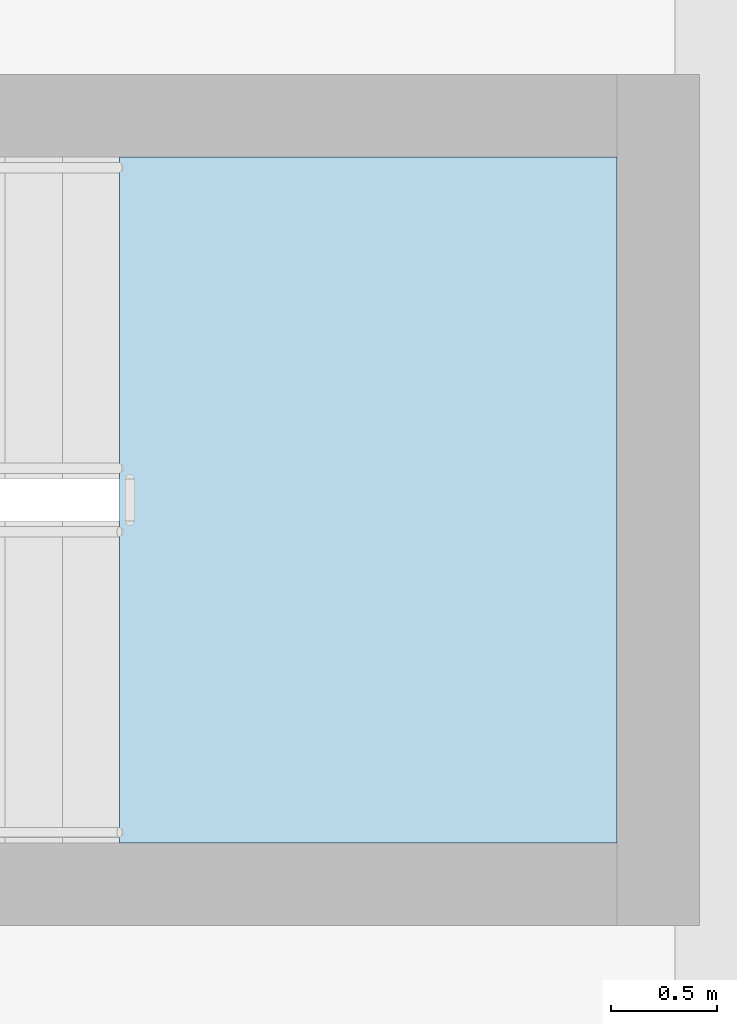
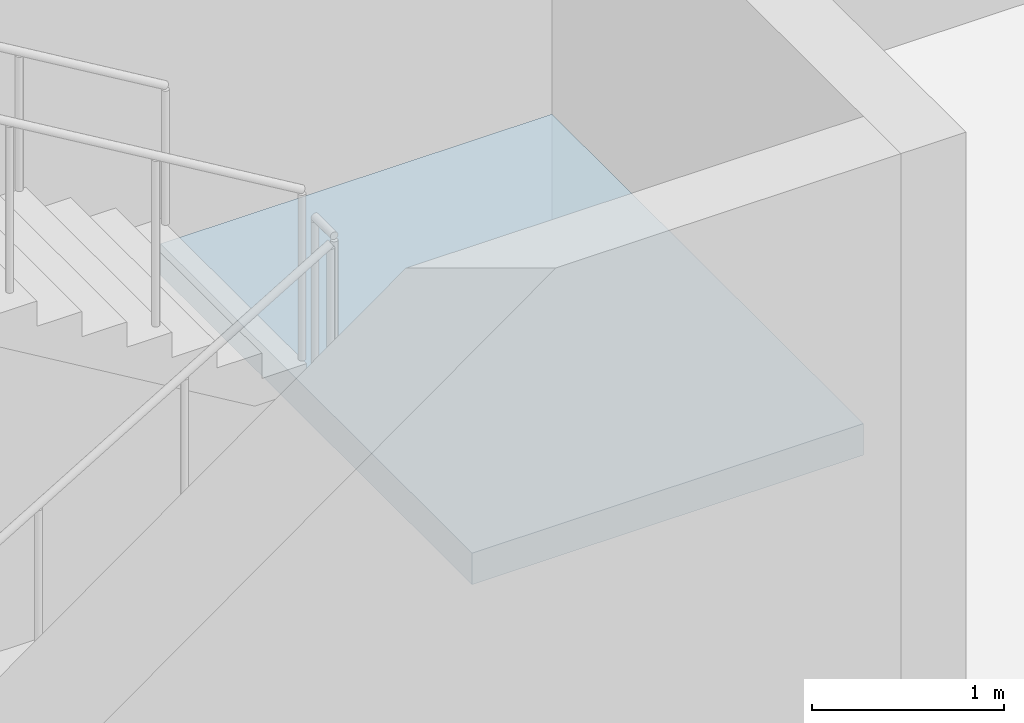
# One storey, part 96 of 137: 1 slab, 1 element without a shape of its own.
"""IFC4 building model written with IfcOpenShell, lengths in metres."""

from ifc_helpers import new_model, si_unit, direction, frame, origin, place, context, subcontext, project, spatial, polyline, outline, extrude, material, layer, layer_set, type_object, element, aggregate, save


model = new_model("IFC4")

# Units and contexts
model_context = context("Model", 3, precision=1e-05, world=origin(), true_north=direction((0.0, 1.0)))
body_context = subcontext(model_context, "Body", "Model", "MODEL_VIEW")
ifc_project = project(units=[si_unit("LENGTHUNIT", "METRE"), si_unit("AREAUNIT", "SQUARE_METRE"), si_unit("VOLUMEUNIT", "CUBIC_METRE"), si_unit("PLANEANGLEUNIT", "RADIAN"), si_unit("MASSUNIT", "GRAM", prefix="KILO")], contexts=[model_context])

# Site, building, storey
site_placement = place(None, origin())
site = spatial("IfcSite", under=ifc_project, at=site_placement, CompositionType="ELEMENT")
building_placement = place(site_placement, origin())
building = spatial("IfcBuilding", under=site, at=building_placement, Name="Xazarin Passage Department Store", CompositionType="ELEMENT")
storey_placement = place(building_placement, frame((0.0, 0.0, 5.39990234375)))
storey = spatial("IfcBuildingStorey", under=building, at=storey_placement, Name="L01", CompositionType="ELEMENT", Elevation=5.39990234375)

# Stair, slab
ifc_material = material(Name="Concrete C35/45", Category="concrete")
stair_type = type_object("IfcStairType", Name="ARC-ST-TYP", PredefinedType="HALF_TURN_STAIR", material=ifc_material)
stair_placement = place(storey_placement, origin())
stair = element("IfcStair", 1, at=stair_placement, inside=storey, type_object=stair_type, Name="L01 Exit Stair ST5", PredefinedType="HALF_TURN_STAIR")
ifc_layer = layer(ifc_material, 0.199951171875)
ifc_layer_set = layer_set([ifc_layer], Name="Concrete C35/45")
slab_type = type_object("IfcSlabType", Name="STR-SLB-LND200", PredefinedType="LANDING", material=ifc_layer_set)
slab_placement = place(storey_placement, frame((0.0, 0.0, 2.050048828125)))
slab = element("IfcSlab", 2, at=slab_placement, type_object=slab_type, Name="ST5 landing 1", PredefinedType="LANDING", context=body_context, shape_type="SweptSolid", body=[
    extrude(outline(polyline([(90.35009765625, 44.580078125), (92.699951171875, 44.580078125), (92.699951171875, 47.820068359375), (90.35009765625, 47.820068359375), (90.35009765625, 44.580078125)])), origin(), (0.0, 0.0, 1.0), 0.199951171875),
])
aggregate(stair, [slab])

save(model, "model.ifc")
